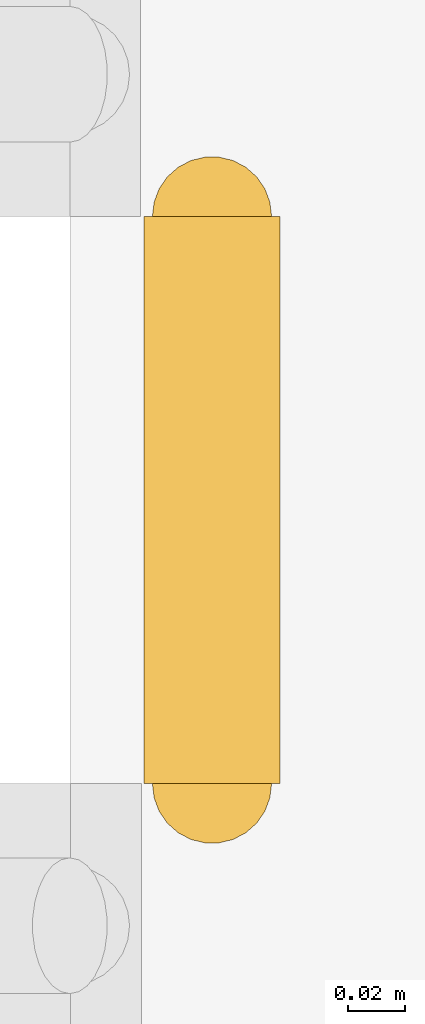
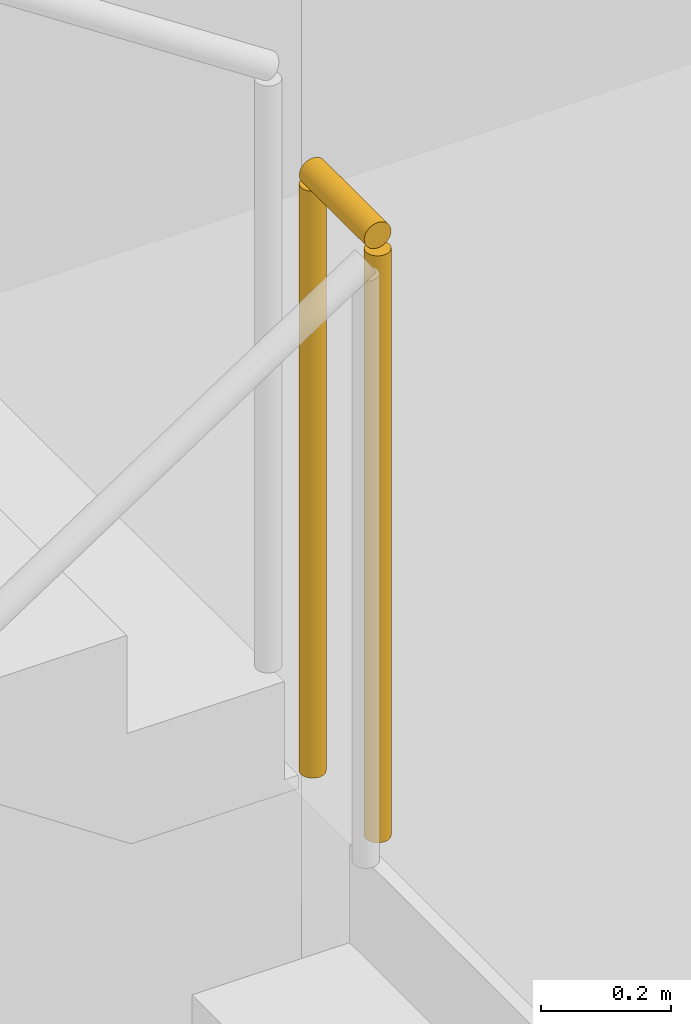
# One storey, part 16 of 17: 1 railing.
"""IFC4 building model written with IfcOpenShell, lengths in metres."""

from ifc_helpers import new_model, si_unit, direction, frame, origin, origin_2d, place, context, subcontext, project, spatial, circle, extrude, material, type_object, element, save


model = new_model("IFC4")

# Units and contexts
model_context = context("Model", 3, precision=1e-05, world=origin(), true_north=direction((0.0, 1.0)))
body_context = subcontext(model_context, "Body", "Model", "MODEL_VIEW")
ifc_project = project(units=[si_unit("LENGTHUNIT", "METRE"), si_unit("AREAUNIT", "SQUARE_METRE"), si_unit("VOLUMEUNIT", "CUBIC_METRE"), si_unit("PLANEANGLEUNIT", "RADIAN"), si_unit("MASSUNIT", "GRAM", prefix="KILO")], contexts=[model_context])

# Site, building, storey
site_placement = place(None, origin())
site = spatial("IfcSite", under=ifc_project, at=site_placement, CompositionType="ELEMENT")
building_placement = place(site_placement, origin())
building = spatial("IfcBuilding", under=site, at=building_placement, Name="Barlavira Tower and Art Museum", CompositionType="ELEMENT")
storey_placement = place(building_placement, frame((0.0, 0.0, 305.10009765625)))
storey = spatial("IfcBuildingStorey", under=building, at=storey_placement, Name="L80", CompositionType="ELEMENT", Elevation=305.10009765625)

# Railing
ifc_material = material(Name="Brushed stainless steel", Category="steel")
railing_type = type_object("IfcRailingType", Name="Interior Void and Landing Guard Railing 1150", PredefinedType="GUARDRAIL", material=ifc_material)
railing_placement = place(storey_placement, frame((-0.760009765625, 5.699951171875, 2.39990234375)))
element("IfcRailing", 1, at=railing_placement, inside=storey, type_object=railing_type, Name="L80 ST-T2 stair guard 2", PredefinedType="GUARDRAIL", context=body_context, shape_type="SweptSolid", body=[
    extrude(circle(Radius=0.02392578125, at=origin_2d()), frame((0.0, 0.0, 1.1259765625), z_axis=(0.0, 1.0, 0.0), x_axis=(-1.0, 0.0, 0.0)), (0.0, 0.0, 1.0), 0.199951171875),
    extrude(circle(Radius=0.02099609375, at=origin_2d()), origin(), (0.0, 0.0, 1.0), 1.101806640625),
    extrude(circle(Radius=0.02099609375, at=origin_2d()), frame((0.0, 0.199951171875, 0.0)), (0.0, 0.0, 1.0), 1.101806640625),
])

save(model, "model.ifc")
